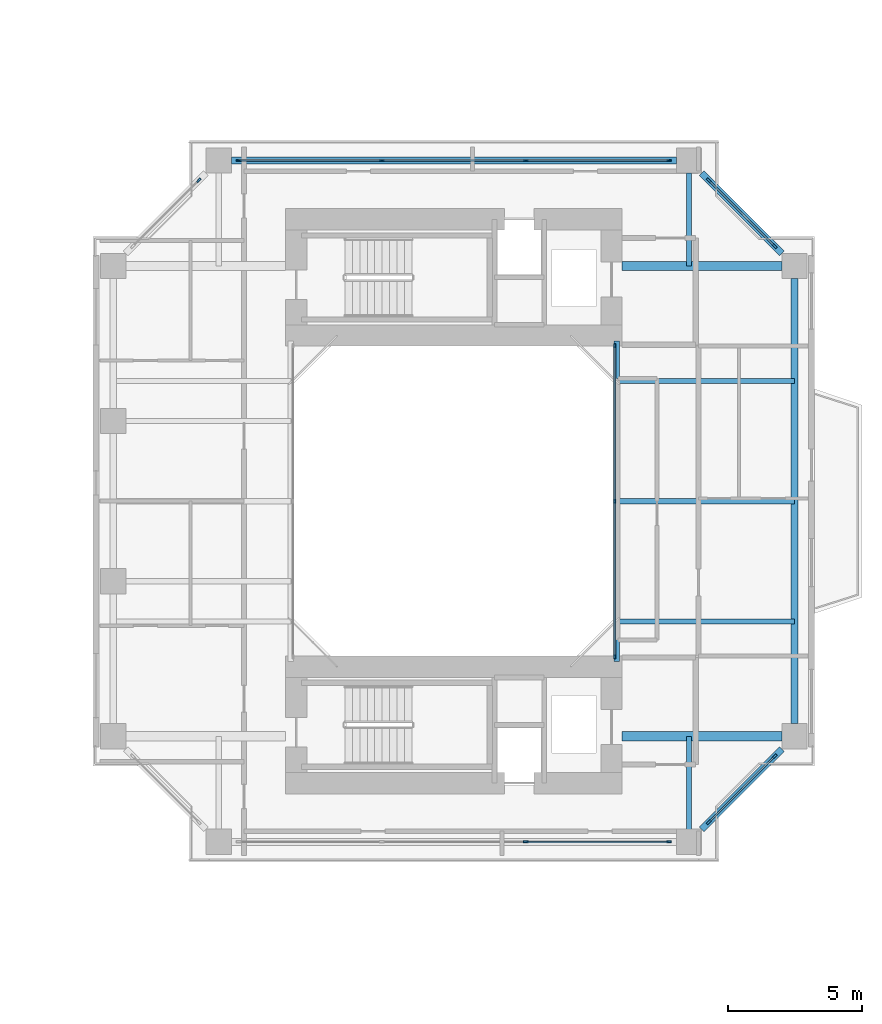
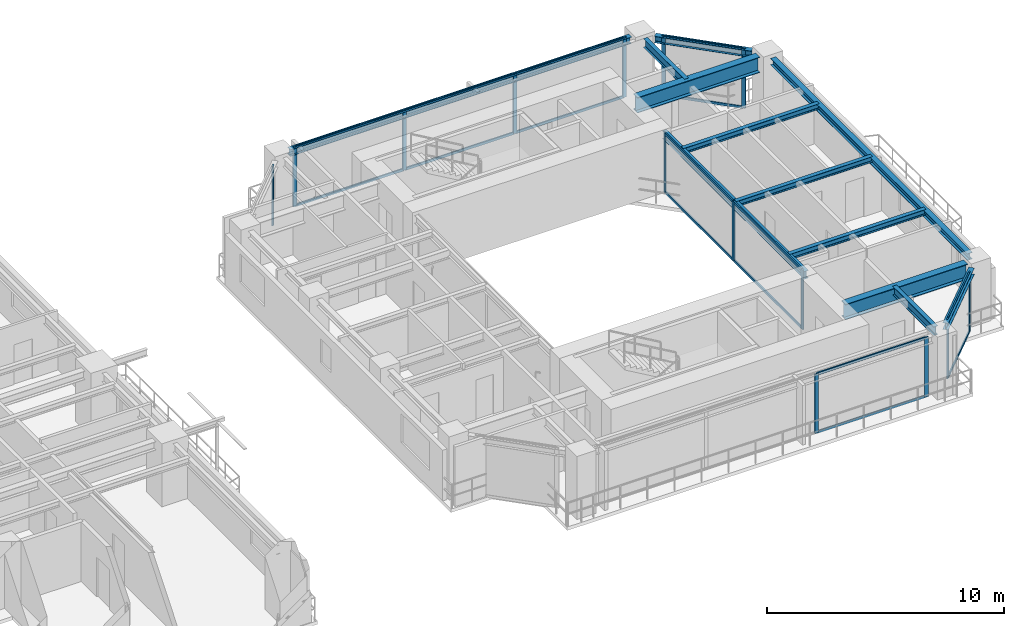
# One storey, part 10 of 24: 30 members, 12 beams, 6 elements without a shape of their own.
"""IFC4 building model written with IfcOpenShell, lengths in metres."""

from ifc_helpers import new_model, si_unit, direction, frame, origin, origin_2d, place, context, subcontext, project, spatial, rectangle, i_section, extrude, source, transform, mapped, material, layer, layer_set, material_profile, profile_set, type_object, element, aggregate, save


model = new_model("IFC4")

# Units and contexts
model_context = context("Model", 3, precision=1e-05, world=origin(), true_north=direction((0.0, 1.0)))
body_context = subcontext(model_context, "Body", "Model", "MODEL_VIEW")
ifc_project = project(units=[si_unit("LENGTHUNIT", "METRE"), si_unit("AREAUNIT", "SQUARE_METRE"), si_unit("VOLUMEUNIT", "CUBIC_METRE"), si_unit("PLANEANGLEUNIT", "RADIAN"), si_unit("MASSUNIT", "GRAM", prefix="KILO"), si_unit("THERMODYNAMICTEMPERATUREUNIT", "KELVIN"), si_unit("POWERUNIT", "WATT")], contexts=[model_context])

# Site, building, storey
site_placement = place(None, origin())
site = spatial("IfcSite", under=ifc_project, at=site_placement, CompositionType="ELEMENT")
building_placement = place(site_placement, origin())
building = spatial("IfcBuilding", under=site, at=building_placement, Name="Qiaomeng Ring Towers", CompositionType="ELEMENT")
storey_placement = place(building_placement, frame((0.0, 0.0, 63.25)))
storey = spatial("IfcBuildingStorey", under=building, at=storey_placement, Name="L17", CompositionType="ELEMENT", Elevation=63.25)

# Beams
ifc_material_1 = material(Name="Steel Q355B", Category="steel")
ifc_material_profile_1 = material_profile(ifc_material_1, i_section(OverallWidth=0.25, OverallDepth=0.340087890625, WebThickness=0.009033203125, FlangeThickness=0.013916015625, FilletRadius=0.02001953125, at=origin_2d()), Name="HM 340x250x9x14")
ifc_profile_set_1 = profile_set([ifc_material_profile_1], Name="Steel Q355B")
beam_type_1 = type_object("IfcBeamType", Name="STR-BM-HM340", PredefinedType="SPANDREL", material=ifc_profile_set_1)
shared_shape_1 = source(origin(), body_context, "Body", "SweptSolid", [
    extrude(i_section(OverallWidth=0.25, OverallDepth=0.340087890625, WebThickness=0.009033203125, FlangeThickness=0.013916015625, FilletRadius=0.02001953125, at=origin_2d()), origin(), (0.0, 0.0, 1.0), 16.65185546875),
])
for number, where, z_axis, x_axis, name in (
    (1, (73.25, 14.674072265625, 2.89990234375), (0.0, 1.0, 0.0), (-1.0, 0.0, 0.0), "L17 beam STR-SP-L17-T2-E1-E2"),
    (2, (68.825927734375, 35.75, 2.89990234375), (-1.0, 0.0, 0.0), (0.0, -1.0, 0.0), "L17 beam STR-SP-L17-T2-N2-N1"),
):
    element("IfcBeam", number, at=place(storey_placement, frame(where, z_axis=z_axis, x_axis=x_axis)), inside=storey, type_object=beam_type_1, Name=name, PredefinedType="SPANDREL", context=body_context, shape_type="MappedRepresentation", body=[
        mapped(shared_shape_1, transform((0.0, 0.0, 0.0), x_axis=(1.0, 0.0, 0.0), y_axis=(0.0, 1.0, 0.0), z_axis=(0.0, 0.0, 1.0), scale=1.0)),
    ])
shared_shape_2 = source(origin(), body_context, "Body", "SweptSolid", [
    extrude(i_section(OverallWidth=0.25, OverallDepth=0.340087890625, WebThickness=0.009033203125, FlangeThickness=0.013916015625, FilletRadius=0.02001953125, at=origin_2d()), origin(), (0.0, 0.0, 1.0), 4.244384765625),
])
for number, where, z_axis, x_axis, name in (
    (3, (69.7744140625, 10.724365234375, 2.89990234375), (0.707106781187, 0.707106781187, 0.0), (-0.707106781187, 0.707106781187, 0.0), "L17 beam STR-SP-L17-T2-S2-E1"),
    (4, (72.775634765625, 32.2744140625, 2.89990234375), (-0.707106781187, 0.707106781187, 0.0), (-0.707106781187, -0.707106781187, 0.0), "L17 beam STR-SP-L17-T2-E2-N2"),
):
    element("IfcBeam", number, at=place(storey_placement, frame(where, z_axis=z_axis, x_axis=x_axis)), inside=storey, type_object=beam_type_1, Name=name, PredefinedType="SPANDREL", context=body_context, shape_type="MappedRepresentation", body=[
        mapped(shared_shape_2, transform((0.0, 0.0, 0.0), x_axis=(1.0, 0.0, 0.0), y_axis=(0.0, 1.0, 0.0), z_axis=(0.0, 0.0, 1.0), scale=1.0)),
    ])
ifc_material_profile_2 = material_profile(ifc_material_1, i_section(OverallWidth=0.199951171875, OverallDepth=0.39990234375, WebThickness=0.008056640625, FlangeThickness=0.012939453125, FilletRadius=0.01611328125, at=origin_2d()), Name="HN 400x200x8x13")
ifc_profile_set_2 = profile_set([ifc_material_profile_2], Name="Steel Q355B")
beam_type_2 = type_object("IfcBeamType", Name="STR-BM-HN400", PredefinedType="SPANDREL", material=ifc_profile_set_2)
shared_shape_3 = source(origin(), body_context, "Body", "SweptSolid", [
    extrude(i_section(OverallWidth=0.199951171875, OverallDepth=0.39990234375, WebThickness=0.008056640625, FlangeThickness=0.012939453125, FilletRadius=0.01611328125, at=origin_2d()), origin(), (0.0, 0.0, 1.0), 12.0),
])
beam_placement = place(storey_placement, frame((66.60009765625, 17.0, 2.8701171875), z_axis=(0.0, 1.0, 0.0), x_axis=(-1.0, 0.0, 0.0)))
element("IfcBeam", 5, at=beam_placement, inside=storey, type_object=beam_type_2, Name="L17 beam STR-BM-L17-T2-WELL-E", PredefinedType="SPANDREL", context=body_context, shape_type="MappedRepresentation", body=[
    mapped(shared_shape_3, transform((0.0, 0.0, 0.0), x_axis=(1.0, 0.0, 0.0), y_axis=(0.0, 1.0, 0.0), z_axis=(0.0, 0.0, 1.0), scale=1.0)),
])
ifc_material_2 = material(Name="Steel Q390GJC", Category="steel")
ifc_material_profile_3 = material_profile(ifc_material_2, i_section(OverallWidth=0.35009765625, OverallDepth=0.800048828125, WebThickness=0.01611328125, FlangeThickness=0.028076171875, at=origin_2d()), Name="WH 800x350x16x28")
ifc_profile_set_3 = profile_set([ifc_material_profile_3], Name="Steel Q390GJC")
beam_type_3 = type_object("IfcBeamType", Name="STR-BM-WH800", PredefinedType="BEAM", material=ifc_profile_set_3)
shared_shape_4 = source(origin(), body_context, "Body", "SweptSolid", [
    extrude(i_section(OverallWidth=0.35009765625, OverallDepth=0.800048828125, WebThickness=0.01611328125, FlangeThickness=0.028076171875, at=origin_2d()), origin(), (0.0, 0.0, 1.0), 5.975830078125),
])
for number, where, z_axis, x_axis, name in (
    (6, (66.800048828125, 14.199951171875, 2.669921875), (1.0, 0.0, 0.0), (0.0, 1.0, 0.0), "L17 beam STR-BM-L17-T2-RAD-E1"),
    (7, (66.800048828125, 31.800048828125, 2.669921875), (1.0, 0.0, 0.0), (0.0, 1.0, 0.0), "L17 beam STR-BM-L17-T2-RAD-E2"),
):
    element("IfcBeam", number, at=place(storey_placement, frame(where, z_axis=z_axis, x_axis=x_axis)), inside=storey, type_object=beam_type_3, Name=name, PredefinedType="BEAM", context=body_context, shape_type="MappedRepresentation", body=[
        mapped(shared_shape_4, transform((0.0, 0.0, 0.0), x_axis=(1.0, 0.0, 0.0), y_axis=(0.0, 1.0, 0.0), z_axis=(0.0, 0.0, 1.0), scale=1.0)),
    ])
ifc_material_profile_4 = material_profile(ifc_material_1, i_section(OverallWidth=0.199951171875, OverallDepth=0.449951171875, WebThickness=0.009033203125, FlangeThickness=0.013916015625, FilletRadius=0.01806640625, at=origin_2d()), Name="HN 450x200x9x14")
ifc_profile_set_4 = profile_set([ifc_material_profile_4], Name="Steel Q355B")
beam_type_4 = type_object("IfcBeamType", Name="STR-BM-HN450", PredefinedType="SPANDREL", material=ifc_profile_set_4)
shared_shape_5 = source(origin(), body_context, "Body", "SweptSolid", [
    extrude(i_section(OverallWidth=0.199951171875, OverallDepth=0.449951171875, WebThickness=0.009033203125, FlangeThickness=0.013916015625, FilletRadius=0.01806640625, at=origin_2d()), origin(), (0.0, 0.0, 1.0), 3.475830078125),
])
for number, where, z_axis, x_axis, name in (
    (8, (69.300048828125, 35.27587890625, 2.844970703125), (0.0, -1.0, 0.0), (1.0, 0.0, 0.0), "L17 beam STR-BM-L17-T2-RAD-N2"),
    (9, (69.300048828125, 10.72412109375, 2.844970703125), (0.0, 1.0, 0.0), (-1.0, 0.0, 0.0), "L17 beam STR-BM-L17-T2-RAD-S2"),
):
    element("IfcBeam", number, at=place(storey_placement, frame(where, z_axis=z_axis, x_axis=x_axis)), inside=storey, type_object=beam_type_4, Name=name, PredefinedType="SPANDREL", context=body_context, shape_type="MappedRepresentation", body=[
        mapped(shared_shape_5, transform((0.0, 0.0, 0.0), x_axis=(1.0, 0.0, 0.0), y_axis=(0.0, 1.0, 0.0), z_axis=(0.0, 0.0, 1.0), scale=1.0)),
    ])
ifc_material_profile_5 = material_profile(ifc_material_1, i_section(OverallWidth=0.199951171875, OverallDepth=0.2939453125, WebThickness=0.008056640625, FlangeThickness=0.011962890625, FilletRadius=0.01806640625, at=origin_2d()), Name="HM 294x200x8x12")
ifc_profile_set_5 = profile_set([ifc_material_profile_5], Name="Steel Q355B")
beam_type_5 = type_object("IfcBeamType", Name="STR-BM-HM294", PredefinedType="JOIST", material=ifc_profile_set_5)
shared_shape_6 = source(origin(), body_context, "Body", "SweptSolid", [
    extrude(i_section(OverallWidth=0.199951171875, OverallDepth=0.2939453125, WebThickness=0.008056640625, FlangeThickness=0.011962890625, FilletRadius=0.01806640625, at=origin_2d()), origin(), (0.0, 0.0, 1.0), 6.64990234375),
])
for number, where, z_axis, x_axis, name in (
    (10, (66.60009765625, 18.5, 2.923095703125), (1.0, 0.0, 0.0), (0.0, 1.0, 0.0), "L17 beam STR-JST-L17-T2E-1"),
    (11, (66.60009765625, 23.0, 2.923095703125), (1.0, 0.0, 0.0), (0.0, 1.0, 0.0), "L17 beam STR-JST-L17-T2E-2"),
    (12, (66.60009765625, 27.5, 2.923095703125), (1.0, 0.0, 0.0), (0.0, 1.0, 0.0), "L17 beam STR-JST-L17-T2E-3"),
):
    element("IfcBeam", number, at=place(storey_placement, frame(where, z_axis=z_axis, x_axis=x_axis)), inside=storey, type_object=beam_type_5, Name=name, PredefinedType="JOIST", context=body_context, shape_type="MappedRepresentation", body=[
        mapped(shared_shape_6, transform((0.0, 0.0, 0.0), x_axis=(1.0, 0.0, 0.0), y_axis=(0.0, 1.0, 0.0), z_axis=(0.0, 0.0, 1.0), scale=1.0)),
    ])

# Curtain wall, members
ifc_material_3 = material(Name="Fluorocarbon dark-grey aluminium", Category="aluminium")
ifc_layer_1 = layer(ifc_material_3, 0.139892578125, Name="Fluorocarbon dark-grey aluminium")
ifc_layer_set_1 = layer_set([ifc_layer_1], Name="Fluorocarbon dark-grey aluminium")
curtain_wall_type_1 = type_object("IfcCurtainWallType", Name="ARC-CW-4", PredefinedType="NOTDEFINED", material=ifc_layer_set_1)
curtain_wall_1_placement = place(storey_placement, origin())
curtain_wall_1 = element("IfcCurtainWall", 13, at=curtain_wall_1_placement, inside=storey, type_object=curtain_wall_type_1, Name="L17 Curtain Wall CW4", PredefinedType="NOTDEFINED")
ifc_material_profile_6 = material_profile(ifc_material_3, rectangle(XDim=0.06494140625, YDim=0.159912109375, at=origin_2d()), Name="ALU MULL 65x160")
ifc_profile_set_6 = profile_set([ifc_material_profile_6], Name="Fluorocarbon dark-grey aluminium")
member_type_1 = type_object("IfcMemberType", Name="ARC-CWM-140", PredefinedType="MULLION", material=ifc_profile_set_6)
shared_shape_7 = source(origin(), body_context, "Body", "SweptSolid", [
    extrude(rectangle(XDim=0.06494140625, YDim=0.159912109375, at=origin_2d()), origin(), (0.0, 0.0, 1.0), 3.070068359375),
])
member_1_placement = place(storey_placement, frame((66.52001953125, 17.1826171875, 0.0), z_axis=(0.0, 0.0, 1.0), x_axis=(-1.0, 0.0, 0.0)))
member_1 = element("IfcMember", 14, at=member_1_placement, type_object=member_type_1, Name="CW4 mullion 1", PredefinedType="MULLION", context=body_context, shape_type="MappedRepresentation", body=[
    mapped(shared_shape_7, transform((0.0, 0.0, 0.0), x_axis=(1.0, 0.0, 0.0), y_axis=(0.0, 1.0, 0.0), z_axis=(0.0, 0.0, 1.0), scale=1.0)),
])
member_2_placement = place(storey_placement, frame((66.52001953125, 23.0, 0.0), z_axis=(0.0, 0.0, 1.0), x_axis=(-1.0, 0.0, 0.0)))
member_2 = element("IfcMember", 15, at=member_2_placement, type_object=member_type_1, Name="CW4 mullion 2", PredefinedType="MULLION", context=body_context, shape_type="MappedRepresentation", body=[
    mapped(shared_shape_7, transform((0.0, 0.0, 0.0), x_axis=(1.0, 0.0, 0.0), y_axis=(0.0, 1.0, 0.0), z_axis=(0.0, 0.0, 1.0), scale=1.0)),
])
member_3_placement = place(storey_placement, frame((66.52001953125, 28.8173828125, 0.0), z_axis=(0.0, 0.0, 1.0), x_axis=(-1.0, 0.0, 0.0)))
member_3 = element("IfcMember", 16, at=member_3_placement, type_object=member_type_1, Name="CW4 mullion 3", PredefinedType="MULLION", context=body_context, shape_type="MappedRepresentation", body=[
    mapped(shared_shape_7, transform((0.0, 0.0, 0.0), x_axis=(1.0, 0.0, 0.0), y_axis=(0.0, 1.0, 0.0), z_axis=(0.0, 0.0, 1.0), scale=1.0)),
])
ifc_material_profile_7 = material_profile(ifc_material_3, rectangle(XDim=0.06494140625, YDim=0.1298828125, at=origin_2d()), Name="ALU TRAN 65x130")
ifc_profile_set_7 = profile_set([ifc_material_profile_7], Name="Fluorocarbon dark-grey aluminium")
member_type_2 = type_object("IfcMemberType", Name="ARC-CWT-120", PredefinedType="USERDEFINED", material=ifc_profile_set_7)
shared_shape_8 = source(origin(), body_context, "Body", "SweptSolid", [
    extrude(rectangle(XDim=0.06494140625, YDim=0.1298828125, at=origin_2d()), origin(), (0.0, 0.0, 1.0), 5.75244140625),
])
member_4_placement = place(storey_placement, frame((66.52001953125, 17.215087890625, 0.032470703125), z_axis=(0.0, 1.0, 0.0), x_axis=(-1.0, 0.0, 0.0)))
member_4 = element("IfcMember", 17, at=member_4_placement, type_object=member_type_2, Name="CW4 transom 1.1", ObjectType="TRANSOM", PredefinedType="USERDEFINED", context=body_context, shape_type="MappedRepresentation", body=[
    mapped(shared_shape_8, transform((0.0, 0.0, 0.0), x_axis=(1.0, 0.0, 0.0), y_axis=(0.0, 1.0, 0.0), z_axis=(0.0, 0.0, 1.0), scale=1.0)),
])
member_5_placement = place(storey_placement, frame((66.52001953125, 17.215087890625, 3.03759765625), z_axis=(0.0, 1.0, 0.0), x_axis=(-1.0, 0.0, 0.0)))
member_5 = element("IfcMember", 18, at=member_5_placement, type_object=member_type_2, Name="CW4 transom 1.2", ObjectType="TRANSOM", PredefinedType="USERDEFINED", context=body_context, shape_type="MappedRepresentation", body=[
    mapped(shared_shape_8, transform((0.0, 0.0, 0.0), x_axis=(1.0, 0.0, 0.0), y_axis=(0.0, 1.0, 0.0), z_axis=(0.0, 0.0, 1.0), scale=1.0)),
])
member_6_placement = place(storey_placement, frame((66.52001953125, 23.032470703125, 0.032470703125), z_axis=(0.0, 1.0, 0.0), x_axis=(-1.0, 0.0, 0.0)))
member_6 = element("IfcMember", 19, at=member_6_placement, type_object=member_type_2, Name="CW4 transom 2.1", ObjectType="TRANSOM", PredefinedType="USERDEFINED", context=body_context, shape_type="MappedRepresentation", body=[
    mapped(shared_shape_8, transform((0.0, 0.0, 0.0), x_axis=(1.0, 0.0, 0.0), y_axis=(0.0, 1.0, 0.0), z_axis=(0.0, 0.0, 1.0), scale=1.0)),
])
member_7_placement = place(storey_placement, frame((66.52001953125, 23.032470703125, 3.03759765625), z_axis=(0.0, 1.0, 0.0), x_axis=(-1.0, 0.0, 0.0)))
member_7 = element("IfcMember", 20, at=member_7_placement, type_object=member_type_2, Name="CW4 transom 2.2", ObjectType="TRANSOM", PredefinedType="USERDEFINED", context=body_context, shape_type="MappedRepresentation", body=[
    mapped(shared_shape_8, transform((0.0, 0.0, 0.0), x_axis=(1.0, 0.0, 0.0), y_axis=(0.0, 1.0, 0.0), z_axis=(0.0, 0.0, 1.0), scale=1.0)),
])
aggregate(curtain_wall_1, [member_1, member_2, member_3, member_4, member_5, member_6, member_7])

ifc_layer_2 = layer(ifc_material_3, 0.14990234375, Name="Fluorocarbon dark-grey aluminium")
ifc_layer_set_2 = layer_set([ifc_layer_2], Name="Fluorocarbon dark-grey aluminium")
curtain_wall_type_2 = type_object("IfcCurtainWallType", Name="ARC-CW-5", PredefinedType="NOTDEFINED", material=ifc_layer_set_2)
curtain_wall_2_placement = place(storey_placement, origin())
curtain_wall_2 = element("IfcCurtainWall", 21, at=curtain_wall_2_placement, inside=storey, type_object=curtain_wall_type_2, Name="L17 Curtain Wall CW5", PredefinedType="NOTDEFINED")
ifc_material_profile_8 = material_profile(ifc_material_3, rectangle(XDim=0.070068359375, YDim=0.179931640625, at=origin_2d()), Name="ALU MULL 70x180")
ifc_profile_set_8 = profile_set([ifc_material_profile_8], Name="Fluorocarbon dark-grey aluminium")
member_type_3 = type_object("IfcMemberType", Name="ARC-CWM-160", PredefinedType="MULLION", material=ifc_profile_set_8)
shared_shape_9 = source(origin(), body_context, "Body", "SweptSolid", [
    extrude(rectangle(XDim=0.070068359375, YDim=0.179931640625, at=origin_2d()), origin(), (0.0, 0.0, 1.0), 3.070068359375),
])
member_8_placement = place(storey_placement, frame((52.449951171875, 35.75, 0.0), z_axis=(0.0, 0.0, 1.0), x_axis=(0.0, 1.0, 0.0)))
member_8 = element("IfcMember", 22, at=member_8_placement, type_object=member_type_3, Name="CW5 mullion 1", PredefinedType="MULLION", context=body_context, shape_type="MappedRepresentation", body=[
    mapped(shared_shape_9, transform((0.0, 0.0, 0.0), x_axis=(1.0, 0.0, 0.0), y_axis=(0.0, 1.0, 0.0), z_axis=(0.0, 0.0, 1.0), scale=1.0)),
])
member_9_placement = place(storey_placement, frame((57.804931640625, 35.75, 0.0), z_axis=(0.0, 0.0, 1.0), x_axis=(0.0, 1.0, 0.0)))
member_9 = element("IfcMember", 23, at=member_9_placement, type_object=member_type_3, Name="CW5 mullion 2", PredefinedType="MULLION", context=body_context, shape_type="MappedRepresentation", body=[
    mapped(shared_shape_9, transform((0.0, 0.0, 0.0), x_axis=(1.0, 0.0, 0.0), y_axis=(0.0, 1.0, 0.0), z_axis=(0.0, 0.0, 1.0), scale=1.0)),
])
member_10_placement = place(storey_placement, frame((63.195068359375, 35.75, 0.0), z_axis=(0.0, 0.0, 1.0), x_axis=(0.0, 1.0, 0.0)))
member_10 = element("IfcMember", 24, at=member_10_placement, type_object=member_type_3, Name="CW5 mullion 3", PredefinedType="MULLION", context=body_context, shape_type="MappedRepresentation", body=[
    mapped(shared_shape_9, transform((0.0, 0.0, 0.0), x_axis=(1.0, 0.0, 0.0), y_axis=(0.0, 1.0, 0.0), z_axis=(0.0, 0.0, 1.0), scale=1.0)),
])
member_11_placement = place(storey_placement, frame((68.550048828125, 35.75, 0.0), z_axis=(0.0, 0.0, 1.0), x_axis=(0.0, 1.0, 0.0)))
member_11 = element("IfcMember", 25, at=member_11_placement, type_object=member_type_3, Name="CW5 mullion 4", PredefinedType="MULLION", context=body_context, shape_type="MappedRepresentation", body=[
    mapped(shared_shape_9, transform((0.0, 0.0, 0.0), x_axis=(1.0, 0.0, 0.0), y_axis=(0.0, 1.0, 0.0), z_axis=(0.0, 0.0, 1.0), scale=1.0)),
])

curtain_wall_3_placement = place(storey_placement, origin())
curtain_wall_3 = element("IfcCurtainWall", 26, at=curtain_wall_3_placement, inside=storey, type_object=curtain_wall_type_2, Name="L17 Curtain Wall CW5", PredefinedType="NOTDEFINED")
member_12_placement = place(storey_placement, frame((70.039794921875, 10.98974609375, 0.0), z_axis=(0.0, 0.0, 1.0), x_axis=(-0.707106781187, 0.707106781187, 0.0)))
member_12 = element("IfcMember", 27, at=member_12_placement, type_object=member_type_3, Name="CW5 mullion 1", PredefinedType="MULLION", context=body_context, shape_type="MappedRepresentation", body=[
    mapped(shared_shape_9, transform((0.0, 0.0, 0.0), x_axis=(1.0, 0.0, 0.0), y_axis=(0.0, 1.0, 0.0), z_axis=(0.0, 0.0, 1.0), scale=1.0)),
])
member_13_placement = place(storey_placement, frame((72.51025390625, 13.460205078125, 0.0), z_axis=(0.0, 0.0, 1.0), x_axis=(-0.707106781187, 0.707106781187, 0.0)))
member_13 = element("IfcMember", 28, at=member_13_placement, type_object=member_type_3, Name="CW5 mullion 2", PredefinedType="MULLION", context=body_context, shape_type="MappedRepresentation", body=[
    mapped(shared_shape_9, transform((0.0, 0.0, 0.0), x_axis=(1.0, 0.0, 0.0), y_axis=(0.0, 1.0, 0.0), z_axis=(0.0, 0.0, 1.0), scale=1.0)),
])

curtain_wall_4_placement = place(storey_placement, origin())
curtain_wall_4 = element("IfcCurtainWall", 29, at=curtain_wall_4_placement, inside=storey, type_object=curtain_wall_type_2, Name="L17 Curtain Wall CW5", PredefinedType="NOTDEFINED")
member_14_placement = place(storey_placement, frame((72.51025390625, 32.539794921875, 0.0), z_axis=(0.0, 0.0, 1.0), x_axis=(-0.707106781187, -0.707106781187, 0.0)))
member_14 = element("IfcMember", 30, at=member_14_placement, type_object=member_type_3, Name="CW5 mullion 1", PredefinedType="MULLION", context=body_context, shape_type="MappedRepresentation", body=[
    mapped(shared_shape_9, transform((0.0, 0.0, 0.0), x_axis=(1.0, 0.0, 0.0), y_axis=(0.0, 1.0, 0.0), z_axis=(0.0, 0.0, 1.0), scale=1.0)),
])
member_15_placement = place(storey_placement, frame((70.039794921875, 35.01025390625, 0.0), z_axis=(0.0, 0.0, 1.0), x_axis=(-0.707106781187, -0.707106781187, 0.0)))
member_15 = element("IfcMember", 31, at=member_15_placement, type_object=member_type_3, Name="CW5 mullion 2", PredefinedType="MULLION", context=body_context, shape_type="MappedRepresentation", body=[
    mapped(shared_shape_9, transform((0.0, 0.0, 0.0), x_axis=(1.0, 0.0, 0.0), y_axis=(0.0, 1.0, 0.0), z_axis=(0.0, 0.0, 1.0), scale=1.0)),
])

# Curtain wall, member
curtain_wall_5_placement = place(storey_placement, origin())
curtain_wall_5 = element("IfcCurtainWall", 32, at=curtain_wall_5_placement, inside=storey, type_object=curtain_wall_type_2, Name="L17 Curtain Wall CW5", PredefinedType="NOTDEFINED")
member_16_placement = place(storey_placement, frame((50.960205078125, 35.01025390625, 0.0), z_axis=(0.0, 0.0, 1.0), x_axis=(0.707106781187, -0.707106781187, 0.0)))
member_16 = element("IfcMember", 33, at=member_16_placement, type_object=member_type_3, Name="CW5 mullion 1", PredefinedType="MULLION", context=body_context, shape_type="MappedRepresentation", body=[
    mapped(shared_shape_9, transform((0.0, 0.0, 0.0), x_axis=(1.0, 0.0, 0.0), y_axis=(0.0, 1.0, 0.0), z_axis=(0.0, 0.0, 1.0), scale=1.0)),
])
aggregate(curtain_wall_5, [member_16])

# Curtain wall, members
curtain_wall_6_placement = place(storey_placement, origin())
curtain_wall_6 = element("IfcCurtainWall", 34, at=curtain_wall_6_placement, inside=storey, type_object=curtain_wall_type_2, Name="L17 Curtain Wall CW5", PredefinedType="NOTDEFINED")
member_17_placement = place(storey_placement, frame((63.195068359375, 10.25, 0.0), z_axis=(0.0, 0.0, 1.0), x_axis=(0.0, 1.0, 0.0)))
member_17 = element("IfcMember", 35, at=member_17_placement, type_object=member_type_3, Name="CW5 mullion 3", PredefinedType="MULLION", context=body_context, shape_type="MappedRepresentation", body=[
    mapped(shared_shape_9, transform((0.0, 0.0, 0.0), x_axis=(1.0, 0.0, 0.0), y_axis=(0.0, 1.0, 0.0), z_axis=(0.0, 0.0, 1.0), scale=1.0)),
])
member_18_placement = place(storey_placement, frame((68.550048828125, 10.25, 0.0), z_axis=(0.0, 0.0, 1.0), x_axis=(0.0, 1.0, 0.0)))
member_18 = element("IfcMember", 36, at=member_18_placement, type_object=member_type_3, Name="CW5 mullion 4", PredefinedType="MULLION", context=body_context, shape_type="MappedRepresentation", body=[
    mapped(shared_shape_9, transform((0.0, 0.0, 0.0), x_axis=(1.0, 0.0, 0.0), y_axis=(0.0, 1.0, 0.0), z_axis=(0.0, 0.0, 1.0), scale=1.0)),
])

# Member
shared_shape_10 = source(origin(), body_context, "Body", "SweptSolid", [
    extrude(rectangle(XDim=0.06494140625, YDim=0.1298828125, at=origin_2d()), origin(), (0.0, 0.0, 1.0), 5.284912109375),
])
member_19_placement = place(storey_placement, frame((52.485107421875, 35.75, 0.032470703125), z_axis=(1.0, 0.0, 0.0), x_axis=(0.0, 1.0, 0.0)))
member_19 = element("IfcMember", 37, at=member_19_placement, type_object=member_type_2, Name="CW5 transom 1.1", ObjectType="TRANSOM", PredefinedType="USERDEFINED", context=body_context, shape_type="MappedRepresentation", body=[
    mapped(shared_shape_10, transform((0.0, 0.0, 0.0), x_axis=(1.0, 0.0, 0.0), y_axis=(0.0, 1.0, 0.0), z_axis=(0.0, 0.0, 1.0), scale=1.0)),
])

member_20_placement = place(storey_placement, frame((52.485107421875, 35.75, 3.03759765625), z_axis=(1.0, 0.0, 0.0), x_axis=(0.0, 1.0, 0.0)))
member_20 = element("IfcMember", 38, at=member_20_placement, type_object=member_type_2, Name="CW5 transom 1.2", ObjectType="TRANSOM", PredefinedType="USERDEFINED", context=body_context, shape_type="MappedRepresentation", body=[
    mapped(shared_shape_10, transform((0.0, 0.0, 0.0), x_axis=(1.0, 0.0, 0.0), y_axis=(0.0, 1.0, 0.0), z_axis=(0.0, 0.0, 1.0), scale=1.0)),
])

member_21_placement = place(storey_placement, frame((63.22998046875, 35.75, 0.032470703125), z_axis=(1.0, 0.0, 0.0), x_axis=(0.0, 1.0, 0.0)))
member_21 = element("IfcMember", 39, at=member_21_placement, type_object=member_type_2, Name="CW5 transom 3.1", ObjectType="TRANSOM", PredefinedType="USERDEFINED", context=body_context, shape_type="MappedRepresentation", body=[
    mapped(shared_shape_10, transform((0.0, 0.0, 0.0), x_axis=(1.0, 0.0, 0.0), y_axis=(0.0, 1.0, 0.0), z_axis=(0.0, 0.0, 1.0), scale=1.0)),
])

member_22_placement = place(storey_placement, frame((63.22998046875, 35.75, 3.03759765625), z_axis=(1.0, 0.0, 0.0), x_axis=(0.0, 1.0, 0.0)))
member_22 = element("IfcMember", 40, at=member_22_placement, type_object=member_type_2, Name="CW5 transom 3.2", ObjectType="TRANSOM", PredefinedType="USERDEFINED", context=body_context, shape_type="MappedRepresentation", body=[
    mapped(shared_shape_10, transform((0.0, 0.0, 0.0), x_axis=(1.0, 0.0, 0.0), y_axis=(0.0, 1.0, 0.0), z_axis=(0.0, 0.0, 1.0), scale=1.0)),
])

member_23_placement = place(storey_placement, frame((63.22998046875, 10.25, 0.032470703125), z_axis=(1.0, 0.0, 0.0), x_axis=(0.0, 1.0, 0.0)))
member_23 = element("IfcMember", 41, at=member_23_placement, type_object=member_type_2, Name="CW5 transom 3.1", ObjectType="TRANSOM", PredefinedType="USERDEFINED", context=body_context, shape_type="MappedRepresentation", body=[
    mapped(shared_shape_10, transform((0.0, 0.0, 0.0), x_axis=(1.0, 0.0, 0.0), y_axis=(0.0, 1.0, 0.0), z_axis=(0.0, 0.0, 1.0), scale=1.0)),
])

member_24_placement = place(storey_placement, frame((63.22998046875, 10.25, 3.03759765625), z_axis=(1.0, 0.0, 0.0), x_axis=(0.0, 1.0, 0.0)))
member_24 = element("IfcMember", 42, at=member_24_placement, type_object=member_type_2, Name="CW5 transom 3.2", ObjectType="TRANSOM", PredefinedType="USERDEFINED", context=body_context, shape_type="MappedRepresentation", body=[
    mapped(shared_shape_10, transform((0.0, 0.0, 0.0), x_axis=(1.0, 0.0, 0.0), y_axis=(0.0, 1.0, 0.0), z_axis=(0.0, 0.0, 1.0), scale=1.0)),
])

aggregate(curtain_wall_6, [member_17, member_18, member_23, member_24])

shared_shape_11 = source(origin(), body_context, "Body", "SweptSolid", [
    extrude(rectangle(XDim=0.06494140625, YDim=0.1298828125, at=origin_2d()), origin(), (0.0, 0.0, 1.0), 5.31982421875),
])
member_25_placement = place(storey_placement, frame((57.840087890625, 35.75, 0.032470703125), z_axis=(1.0, 0.0, 0.0), x_axis=(0.0, 1.0, 0.0)))
member_25 = element("IfcMember", 43, at=member_25_placement, type_object=member_type_2, Name="CW5 transom 2.1", ObjectType="TRANSOM", PredefinedType="USERDEFINED", context=body_context, shape_type="MappedRepresentation", body=[
    mapped(shared_shape_11, transform((0.0, 0.0, 0.0), x_axis=(1.0, 0.0, 0.0), y_axis=(0.0, 1.0, 0.0), z_axis=(0.0, 0.0, 1.0), scale=1.0)),
])

member_26_placement = place(storey_placement, frame((57.840087890625, 35.75, 3.03759765625), z_axis=(1.0, 0.0, 0.0), x_axis=(0.0, 1.0, 0.0)))
member_26 = element("IfcMember", 44, at=member_26_placement, type_object=member_type_2, Name="CW5 transom 2.2", ObjectType="TRANSOM", PredefinedType="USERDEFINED", context=body_context, shape_type="MappedRepresentation", body=[
    mapped(shared_shape_11, transform((0.0, 0.0, 0.0), x_axis=(1.0, 0.0, 0.0), y_axis=(0.0, 1.0, 0.0), z_axis=(0.0, 0.0, 1.0), scale=1.0)),
])

aggregate(curtain_wall_2, [member_8, member_9, member_10, member_11, member_19, member_20, member_25, member_26, member_21, member_22])

shared_shape_12 = source(origin(), body_context, "Body", "SweptSolid", [
    extrude(rectangle(XDim=0.06494140625, YDim=0.1298828125, at=origin_2d()), origin(), (0.0, 0.0, 1.0), 3.424072265625),
])
member_27_placement = place(storey_placement, frame((70.064453125, 11.014404296875, 0.032470703125), z_axis=(0.707106781187, 0.707106781187, 0.0), x_axis=(-0.707106781187, 0.707106781187, 0.0)))
member_27 = element("IfcMember", 45, at=member_27_placement, type_object=member_type_2, Name="CW5 transom 1.1", ObjectType="TRANSOM", PredefinedType="USERDEFINED", context=body_context, shape_type="MappedRepresentation", body=[
    mapped(shared_shape_12, transform((0.0, 0.0, 0.0), x_axis=(1.0, 0.0, 0.0), y_axis=(0.0, 1.0, 0.0), z_axis=(0.0, 0.0, 1.0), scale=1.0)),
])

member_28_placement = place(storey_placement, frame((70.064453125, 11.014404296875, 3.03759765625), z_axis=(0.707106781187, 0.707106781187, 0.0), x_axis=(-0.707106781187, 0.707106781187, 0.0)))
member_28 = element("IfcMember", 46, at=member_28_placement, type_object=member_type_2, Name="CW5 transom 1.2", ObjectType="TRANSOM", PredefinedType="USERDEFINED", context=body_context, shape_type="MappedRepresentation", body=[
    mapped(shared_shape_12, transform((0.0, 0.0, 0.0), x_axis=(1.0, 0.0, 0.0), y_axis=(0.0, 1.0, 0.0), z_axis=(0.0, 0.0, 1.0), scale=1.0)),
])

aggregate(curtain_wall_3, [member_12, member_13, member_27, member_28])

member_29_placement = place(storey_placement, frame((72.485595703125, 32.564453125, 0.032470703125), z_axis=(-0.707106781187, 0.707106781187, 0.0), x_axis=(-0.707106781187, -0.707106781187, 0.0)))
member_29 = element("IfcMember", 47, at=member_29_placement, type_object=member_type_2, Name="CW5 transom 1.1", ObjectType="TRANSOM", PredefinedType="USERDEFINED", context=body_context, shape_type="MappedRepresentation", body=[
    mapped(shared_shape_12, transform((0.0, 0.0, 0.0), x_axis=(1.0, 0.0, 0.0), y_axis=(0.0, 1.0, 0.0), z_axis=(0.0, 0.0, 1.0), scale=1.0)),
])

member_30_placement = place(storey_placement, frame((72.485595703125, 32.564453125, 3.03759765625), z_axis=(-0.707106781187, 0.707106781187, 0.0), x_axis=(-0.707106781187, -0.707106781187, 0.0)))
member_30 = element("IfcMember", 48, at=member_30_placement, type_object=member_type_2, Name="CW5 transom 1.2", ObjectType="TRANSOM", PredefinedType="USERDEFINED", context=body_context, shape_type="MappedRepresentation", body=[
    mapped(shared_shape_12, transform((0.0, 0.0, 0.0), x_axis=(1.0, 0.0, 0.0), y_axis=(0.0, 1.0, 0.0), z_axis=(0.0, 0.0, 1.0), scale=1.0)),
])

aggregate(curtain_wall_4, [member_14, member_15, member_29, member_30])

save(model, "model.ifc")
